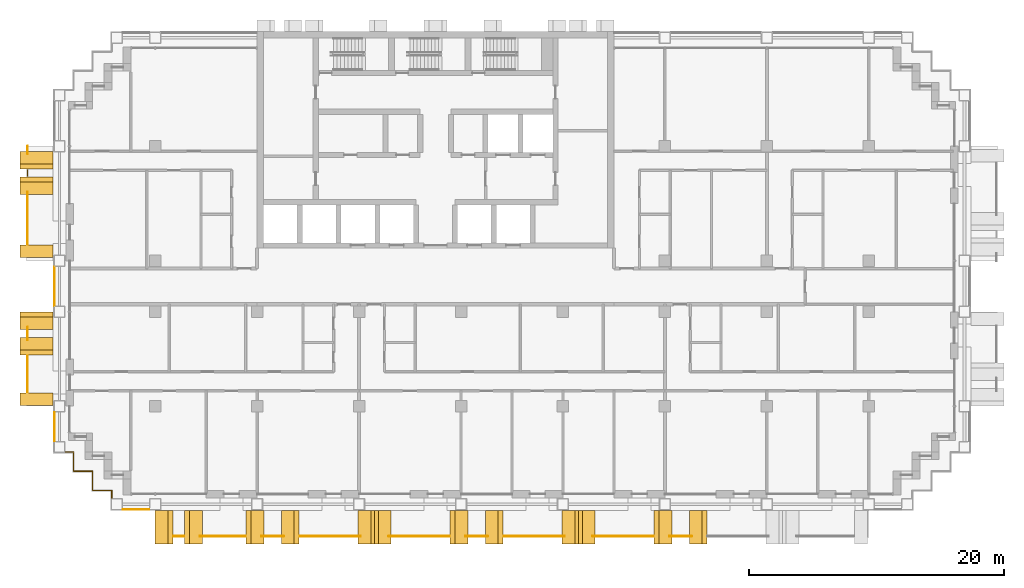
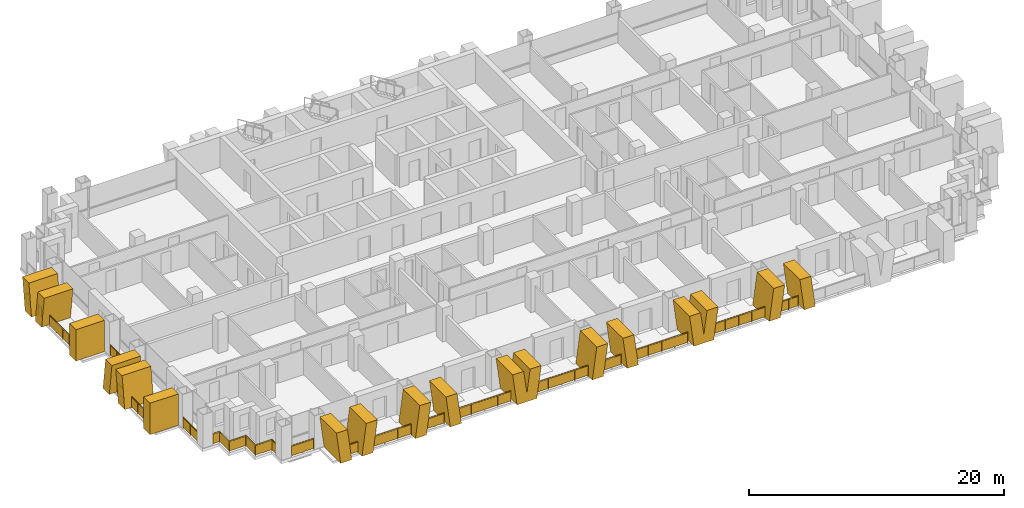
# One storey, part 14 of 17: 18 railings, 16 shading devices.
"""IFC4 building model written with IfcOpenShell, lengths in metres."""

from ifc_helpers import new_model, si_unit, direction, frame, origin, origin_2d, place, context, subcontext, project, spatial, polyline, rectangle, circle, outline, extrude, material, layer, layer_set, type_object, element, save


model = new_model("IFC4")

# Units and contexts
model_context = context("Model", 3, precision=1e-05, world=origin(), true_north=direction((0.0, 1.0)))
body_context = subcontext(model_context, "Body", "Model", "MODEL_VIEW")
ifc_project = project(units=[si_unit("LENGTHUNIT", "METRE"), si_unit("AREAUNIT", "SQUARE_METRE"), si_unit("VOLUMEUNIT", "CUBIC_METRE"), si_unit("PLANEANGLEUNIT", "RADIAN"), si_unit("MASSUNIT", "GRAM", prefix="KILO")], contexts=[model_context])

# Site, building, storey
site_placement = place(None, origin())
site = spatial("IfcSite", under=ifc_project, at=site_placement, CompositionType="ELEMENT")
building_placement = place(site_placement, origin())
building = spatial("IfcBuilding", under=site, at=building_placement, Name="Vidyagriha Tower", CompositionType="ELEMENT")
storey_placement = place(building_placement, frame((0.0, 0.0, 96.699951171875)))
storey = spatial("IfcBuildingStorey", under=building, at=storey_placement, Name="L25", CompositionType="ELEMENT", Elevation=96.699951171875)

# Railings
ifc_material_1 = material(Name="Steel ASTM A500 Grade C black painted", Category="steel")
railing_type_1 = type_object("IfcRailingType", Name="Balcony guard 1100", PredefinedType="BALUSTRADE", material=ifc_material_1)
railing_1_placement = place(storey_placement, frame((-32.0, 11.0, 0.0)))
element("IfcRailing", 1, at=railing_1_placement, inside=storey, type_object=railing_type_1, Name="Balcony guard L25 R16.1-1", PredefinedType="BALUSTRADE", context=body_context, shape_type="SweptSolid", body=[
    extrude(circle(Radius=0.02490234375, at=origin_2d()), frame((0.0, 0.0, 1.0751953125), z_axis=(0.0, -1.0, 0.0), x_axis=(1.0, 0.0, 0.0)), (0.0, 0.0, 1.0), 0.5966796875),
    extrude(circle(Radius=0.02001953125, at=origin_2d()), origin(), (0.0, 0.0, 1.0), 1.050048828125),
    extrude(circle(Radius=0.02001953125, at=origin_2d()), frame((0.0, -0.5966796875, 0.0)), (0.0, 0.0, 1.0), 1.050048828125),
    extrude(rectangle(XDim=0.010009765625, YDim=0.900146484375, at=origin_2d()), frame((0.0, 0.0, 0.550048828125), z_axis=(0.0, -1.0, 0.0), x_axis=(1.0, 0.0, 0.0)), (0.0, 0.0, 1.0), 0.5966796875),
])
railing_2_placement = place(storey_placement, frame((-32.0, 9.14990234375, 0.0)))
element("IfcRailing", 2, at=railing_2_placement, inside=storey, type_object=railing_type_1, Name="Balcony guard L25 R16.1-2", PredefinedType="BALUSTRADE", context=body_context, shape_type="SweptSolid", body=[
    extrude(circle(Radius=0.02490234375, at=origin_2d()), frame((0.0, 0.0, 1.0751953125), z_axis=(0.0, -1.0, 0.0), x_axis=(1.0, 0.0, 0.0)), (0.0, 0.0, 1.0), 0.5),
    extrude(circle(Radius=0.02001953125, at=origin_2d()), origin(), (0.0, 0.0, 1.0), 1.050048828125),
    extrude(circle(Radius=0.02001953125, at=origin_2d()), frame((0.0, -0.5, 0.0)), (0.0, 0.0, 1.0), 1.050048828125),
    extrude(rectangle(XDim=0.010009765625, YDim=0.900146484375, at=origin_2d()), frame((0.0, 0.0, 0.550048828125), z_axis=(0.0, -1.0, 0.0), x_axis=(1.0, 0.0, 0.0)), (0.0, 0.0, 1.0), 0.5),
])
railing_3_placement = place(storey_placement, frame((-32.0, 7.396728515625, 0.0)))
element("IfcRailing", 3, at=railing_3_placement, inside=storey, type_object=railing_type_1, Name="Balcony guard L25 R16.1-3", PredefinedType="BALUSTRADE", context=body_context, shape_type="SweptSolid", body=[
    extrude(circle(Radius=0.02490234375, at=origin_2d()), frame((0.0, 0.0, 1.0751953125), z_axis=(0.0, -1.0, 0.0), x_axis=(1.0, 0.0, 0.0)), (0.0, 0.0, 1.0), 4.0966796875),
    extrude(circle(Radius=0.02001953125, at=origin_2d()), origin(), (0.0, 0.0, 1.0), 1.050048828125),
    extrude(circle(Radius=0.02001953125, at=origin_2d()), frame((0.0, -1.024169921875, 0.0)), (0.0, 0.0, 1.0), 1.050048828125),
    extrude(circle(Radius=0.02001953125, at=origin_2d()), frame((0.0, -2.04833984375, 0.0)), (0.0, 0.0, 1.0), 1.050048828125),
    extrude(circle(Radius=0.02001953125, at=origin_2d()), frame((0.0, -3.072509765625, 0.0)), (0.0, 0.0, 1.0), 1.050048828125),
    extrude(circle(Radius=0.02001953125, at=origin_2d()), frame((0.0, -4.0966796875, 0.0)), (0.0, 0.0, 1.0), 1.050048828125),
    extrude(rectangle(XDim=0.010009765625, YDim=0.900146484375, at=origin_2d()), frame((0.0, 0.0, 0.550048828125), z_axis=(0.0, -1.0, 0.0), x_axis=(1.0, 0.0, 0.0)), (0.0, 0.0, 1.0), 4.0966796875),
])
railing_4_placement = place(storey_placement, frame((-32.0, -3.203369140625, 0.0)))
element("IfcRailing", 4, at=railing_4_placement, inside=storey, type_object=railing_type_1, Name="Balcony guard L25 R16.2-1", PredefinedType="BALUSTRADE", context=body_context, shape_type="SweptSolid", body=[
    extrude(circle(Radius=0.02490234375, at=origin_2d()), frame((0.0, 0.0, 1.0751953125), z_axis=(0.0, -1.0, 0.0), x_axis=(1.0, 0.0, 0.0)), (0.0, 0.0, 1.0), 0.993408203125),
    extrude(circle(Radius=0.02001953125, at=origin_2d()), origin(), (0.0, 0.0, 1.0), 1.050048828125),
    extrude(circle(Radius=0.02001953125, at=origin_2d()), frame((0.0, -0.993408203125, 0.0)), (0.0, 0.0, 1.0), 1.050048828125),
    extrude(rectangle(XDim=0.010009765625, YDim=0.900146484375, at=origin_2d()), frame((0.0, 0.0, 0.550048828125), z_axis=(0.0, -1.0, 0.0), x_axis=(1.0, 0.0, 0.0)), (0.0, 0.0, 1.0), 0.993408203125),
])
railing_5_placement = place(storey_placement, frame((-32.0, -5.449951171875, 0.0)))
element("IfcRailing", 5, at=railing_5_placement, inside=storey, type_object=railing_type_1, Name="Balcony guard L25 R16.2-2", PredefinedType="BALUSTRADE", context=body_context, shape_type="SweptSolid", body=[
    extrude(circle(Radius=0.02490234375, at=origin_2d()), frame((0.0, 0.0, 1.0751953125), z_axis=(0.0, -1.0, 0.0), x_axis=(1.0, 0.0, 0.0)), (0.0, 0.0, 1.0), 2.85009765625),
    extrude(circle(Radius=0.02001953125, at=origin_2d()), origin(), (0.0, 0.0, 1.0), 1.050048828125),
    extrude(circle(Radius=0.02001953125, at=origin_2d()), frame((0.0, -0.949951171875, 0.0)), (0.0, 0.0, 1.0), 1.050048828125),
    extrude(circle(Radius=0.02001953125, at=origin_2d()), frame((0.0, -1.900146484375, 0.0)), (0.0, 0.0, 1.0), 1.050048828125),
    extrude(circle(Radius=0.02001953125, at=origin_2d()), frame((0.0, -2.85009765625, 0.0)), (0.0, 0.0, 1.0), 1.050048828125),
    extrude(rectangle(XDim=0.010009765625, YDim=0.900146484375, at=origin_2d()), frame((0.0, 0.0, 0.550048828125), z_axis=(0.0, -1.0, 0.0), x_axis=(1.0, 0.0, 0.0)), (0.0, 0.0, 1.0), 2.85009765625),
])
railing_6_placement = place(storey_placement, frame((-20.564208984375, -19.60009765625, 0.0)))
element("IfcRailing", 6, at=railing_6_placement, inside=storey, type_object=railing_type_1, Name="Balcony guard L25 R23.1-1", PredefinedType="BALUSTRADE", context=body_context, shape_type="SweptSolid", body=[
    extrude(circle(Radius=0.02490234375, at=origin_2d()), frame((0.0, 0.0, 1.0751953125), z_axis=(1.0, 0.0, 0.0), x_axis=(0.0, 1.0, 0.0)), (0.0, 0.0, 1.0), 0.82861328125),
    extrude(circle(Radius=0.02001953125, at=origin_2d()), origin(), (0.0, 0.0, 1.0), 1.050048828125),
    extrude(circle(Radius=0.02001953125, at=origin_2d()), frame((0.82861328125, 0.0, 0.0)), (0.0, 0.0, 1.0), 1.050048828125),
    extrude(rectangle(XDim=0.010009765625, YDim=0.900146484375, at=origin_2d()), frame((0.0, 0.0, 0.550048828125), z_axis=(1.0, 0.0, 0.0), x_axis=(0.0, 1.0, 0.0)), (0.0, 0.0, 1.0), 0.82861328125),
])
railing_7_placement = place(storey_placement, frame((-18.48779296875, -19.60009765625, 0.0)))
element("IfcRailing", 7, at=railing_7_placement, inside=storey, type_object=railing_type_1, Name="Balcony guard L25 R23.1-2", PredefinedType="BALUSTRADE", context=body_context, shape_type="SweptSolid", body=[
    extrude(circle(Radius=0.02490234375, at=origin_2d()), frame((0.0, 0.0, 1.0751953125), z_axis=(1.0, 0.0, 0.0), x_axis=(0.0, 1.0, 0.0)), (0.0, 0.0, 1.0), 3.582763671875),
    extrude(circle(Radius=0.02001953125, at=origin_2d()), origin(), (0.0, 0.0, 1.0), 1.050048828125),
    extrude(circle(Radius=0.02001953125, at=origin_2d()), frame((1.1943359375, 0.0, 0.0)), (0.0, 0.0, 1.0), 1.050048828125),
    extrude(circle(Radius=0.02001953125, at=origin_2d()), frame((2.388427734375, 0.0, 0.0)), (0.0, 0.0, 1.0), 1.050048828125),
    extrude(circle(Radius=0.02001953125, at=origin_2d()), frame((3.582763671875, 0.0, 0.0)), (0.0, 0.0, 1.0), 1.050048828125),
    extrude(rectangle(XDim=0.010009765625, YDim=0.900146484375, at=origin_2d()), frame((0.0, 0.0, 0.550048828125), z_axis=(1.0, 0.0, 0.0), x_axis=(0.0, 1.0, 0.0)), (0.0, 0.0, 1.0), 3.582763671875),
])
railing_8_placement = place(storey_placement, frame((-13.653564453125, -19.60009765625, 0.0)))
element("IfcRailing", 8, at=railing_8_placement, inside=storey, type_object=railing_type_1, Name="Balcony guard L25 R23.1-3", PredefinedType="BALUSTRADE", context=body_context, shape_type="SweptSolid", body=[
    extrude(circle(Radius=0.02490234375, at=origin_2d()), frame((0.0, 0.0, 1.0751953125), z_axis=(1.0, 0.0, 0.0), x_axis=(0.0, 1.0, 0.0)), (0.0, 0.0, 1.0), 1.757080078125),
    extrude(circle(Radius=0.02001953125, at=origin_2d()), origin(), (0.0, 0.0, 1.0), 1.050048828125),
    extrude(circle(Radius=0.02001953125, at=origin_2d()), frame((0.87841796875, 0.0, 0.0)), (0.0, 0.0, 1.0), 1.050048828125),
    extrude(circle(Radius=0.02001953125, at=origin_2d()), frame((1.757080078125, 0.0, 0.0)), (0.0, 0.0, 1.0), 1.050048828125),
    extrude(rectangle(XDim=0.010009765625, YDim=0.900146484375, at=origin_2d()), frame((0.0, 0.0, 0.550048828125), z_axis=(1.0, 0.0, 0.0), x_axis=(0.0, 1.0, 0.0)), (0.0, 0.0, 1.0), 1.757080078125),
])
railing_9_placement = place(storey_placement, frame((-10.64501953125, -19.60009765625, 0.0)))
element("IfcRailing", 9, at=railing_9_placement, inside=storey, type_object=railing_type_1, Name="Balcony guard L25 R23.1-4", PredefinedType="BALUSTRADE", context=body_context, shape_type="SweptSolid", body=[
    extrude(circle(Radius=0.02490234375, at=origin_2d()), frame((0.0, 0.0, 1.0751953125), z_axis=(1.0, 0.0, 0.0), x_axis=(0.0, 1.0, 0.0)), (0.0, 0.0, 1.0), 4.773681640625),
    extrude(circle(Radius=0.02001953125, at=origin_2d()), origin(), (0.0, 0.0, 1.0), 1.050048828125),
    extrude(circle(Radius=0.02001953125, at=origin_2d()), frame((1.193359375, 0.0, 0.0)), (0.0, 0.0, 1.0), 1.050048828125),
    extrude(circle(Radius=0.02001953125, at=origin_2d()), frame((2.38671875, 0.0, 0.0)), (0.0, 0.0, 1.0), 1.050048828125),
    extrude(circle(Radius=0.02001953125, at=origin_2d()), frame((3.580322265625, 0.0, 0.0)), (0.0, 0.0, 1.0), 1.050048828125),
    extrude(circle(Radius=0.02001953125, at=origin_2d()), frame((4.773681640625, 0.0, 0.0)), (0.0, 0.0, 1.0), 1.050048828125),
    extrude(rectangle(XDim=0.010009765625, YDim=0.900146484375, at=origin_2d()), frame((0.0, 0.0, 0.550048828125), z_axis=(1.0, 0.0, 0.0), x_axis=(0.0, 1.0, 0.0)), (0.0, 0.0, 1.0), 4.773681640625),
])
railing_10_placement = place(storey_placement, frame((-3.678466796875, -19.60009765625, 0.0)))
element("IfcRailing", 10, at=railing_10_placement, inside=storey, type_object=railing_type_1, Name="Balcony guard L25 R23.1-5", PredefinedType="BALUSTRADE", context=body_context, shape_type="SweptSolid", body=[
    extrude(circle(Radius=0.02490234375, at=origin_2d()), frame((0.0, 0.0, 1.0751953125), z_axis=(1.0, 0.0, 0.0), x_axis=(0.0, 1.0, 0.0)), (0.0, 0.0, 1.0), 4.7734375),
    extrude(circle(Radius=0.02001953125, at=origin_2d()), origin(), (0.0, 0.0, 1.0), 1.050048828125),
    extrude(circle(Radius=0.02001953125, at=origin_2d()), frame((1.193359375, 0.0, 0.0)), (0.0, 0.0, 1.0), 1.050048828125),
    extrude(circle(Radius=0.02001953125, at=origin_2d()), frame((2.38671875, 0.0, 0.0)), (0.0, 0.0, 1.0), 1.050048828125),
    extrude(circle(Radius=0.02001953125, at=origin_2d()), frame((3.580078125, 0.0, 0.0)), (0.0, 0.0, 1.0), 1.050048828125),
    extrude(circle(Radius=0.02001953125, at=origin_2d()), frame((4.7734375, 0.0, 0.0)), (0.0, 0.0, 1.0), 1.050048828125),
    extrude(rectangle(XDim=0.010009765625, YDim=0.900146484375, at=origin_2d()), frame((0.0, 0.0, 0.550048828125), z_axis=(1.0, 0.0, 0.0), x_axis=(0.0, 1.0, 0.0)), (0.0, 0.0, 1.0), 4.7734375),
])
railing_11_placement = place(storey_placement, frame((2.346435546875, -19.60009765625, 0.0)))
element("IfcRailing", 11, at=railing_11_placement, inside=storey, type_object=railing_type_1, Name="Balcony guard L25 R23.1-6", PredefinedType="BALUSTRADE", context=body_context, shape_type="SweptSolid", body=[
    extrude(circle(Radius=0.02490234375, at=origin_2d()), frame((0.0, 0.0, 1.0751953125), z_axis=(1.0, 0.0, 0.0), x_axis=(0.0, 1.0, 0.0)), (0.0, 0.0, 1.0), 1.757080078125),
    extrude(circle(Radius=0.02001953125, at=origin_2d()), origin(), (0.0, 0.0, 1.0), 1.050048828125),
    extrude(circle(Radius=0.02001953125, at=origin_2d()), frame((0.87841796875, 0.0, 0.0)), (0.0, 0.0, 1.0), 1.050048828125),
    extrude(circle(Radius=0.02001953125, at=origin_2d()), frame((1.757080078125, 0.0, 0.0)), (0.0, 0.0, 1.0), 1.050048828125),
    extrude(rectangle(XDim=0.010009765625, YDim=0.900146484375, at=origin_2d()), frame((0.0, 0.0, 0.550048828125), z_axis=(1.0, 0.0, 0.0), x_axis=(0.0, 1.0, 0.0)), (0.0, 0.0, 1.0), 1.757080078125),
])
railing_12_placement = place(storey_placement, frame((5.35498046875, -19.60009765625, 0.0)))
element("IfcRailing", 12, at=railing_12_placement, inside=storey, type_object=railing_type_1, Name="Balcony guard L25 R23.1-7", PredefinedType="BALUSTRADE", context=body_context, shape_type="SweptSolid", body=[
    extrude(circle(Radius=0.02490234375, at=origin_2d()), frame((0.0, 0.0, 1.0751953125), z_axis=(1.0, 0.0, 0.0), x_axis=(0.0, 1.0, 0.0)), (0.0, 0.0, 1.0), 4.773681640625),
    extrude(circle(Radius=0.02001953125, at=origin_2d()), origin(), (0.0, 0.0, 1.0), 1.050048828125),
    extrude(circle(Radius=0.02001953125, at=origin_2d()), frame((1.193359375, 0.0, 0.0)), (0.0, 0.0, 1.0), 1.050048828125),
    extrude(circle(Radius=0.02001953125, at=origin_2d()), frame((2.38671875, 0.0, 0.0)), (0.0, 0.0, 1.0), 1.050048828125),
    extrude(circle(Radius=0.02001953125, at=origin_2d()), frame((3.580322265625, 0.0, 0.0)), (0.0, 0.0, 1.0), 1.050048828125),
    extrude(circle(Radius=0.02001953125, at=origin_2d()), frame((4.773681640625, 0.0, 0.0)), (0.0, 0.0, 1.0), 1.050048828125),
    extrude(rectangle(XDim=0.010009765625, YDim=0.900146484375, at=origin_2d()), frame((0.0, 0.0, 0.550048828125), z_axis=(1.0, 0.0, 0.0), x_axis=(0.0, 1.0, 0.0)), (0.0, 0.0, 1.0), 4.773681640625),
])
railing_13_placement = place(storey_placement, frame((12.321533203125, -19.60009765625, 0.0)))
element("IfcRailing", 13, at=railing_13_placement, inside=storey, type_object=railing_type_1, Name="Balcony guard L25 R23.1-8", PredefinedType="BALUSTRADE", context=body_context, shape_type="SweptSolid", body=[
    extrude(circle(Radius=0.02490234375, at=origin_2d()), frame((0.0, 0.0, 1.0751953125), z_axis=(1.0, 0.0, 0.0), x_axis=(0.0, 1.0, 0.0)), (0.0, 0.0, 1.0), 4.7734375),
    extrude(circle(Radius=0.02001953125, at=origin_2d()), origin(), (0.0, 0.0, 1.0), 1.050048828125),
    extrude(circle(Radius=0.02001953125, at=origin_2d()), frame((1.193359375, 0.0, 0.0)), (0.0, 0.0, 1.0), 1.050048828125),
    extrude(circle(Radius=0.02001953125, at=origin_2d()), frame((2.38671875, 0.0, 0.0)), (0.0, 0.0, 1.0), 1.050048828125),
    extrude(circle(Radius=0.02001953125, at=origin_2d()), frame((3.580078125, 0.0, 0.0)), (0.0, 0.0, 1.0), 1.050048828125),
    extrude(circle(Radius=0.02001953125, at=origin_2d()), frame((4.7734375, 0.0, 0.0)), (0.0, 0.0, 1.0), 1.050048828125),
    extrude(rectangle(XDim=0.010009765625, YDim=0.900146484375, at=origin_2d()), frame((0.0, 0.0, 0.550048828125), z_axis=(1.0, 0.0, 0.0), x_axis=(0.0, 1.0, 0.0)), (0.0, 0.0, 1.0), 4.7734375),
])
railing_14_placement = place(storey_placement, frame((18.346435546875, -19.60009765625, 0.0)))
element("IfcRailing", 14, at=railing_14_placement, inside=storey, type_object=railing_type_1, Name="Balcony guard L25 R23.1-9", PredefinedType="BALUSTRADE", context=body_context, shape_type="SweptSolid", body=[
    extrude(circle(Radius=0.02490234375, at=origin_2d()), frame((0.0, 0.0, 1.0751953125), z_axis=(1.0, 0.0, 0.0), x_axis=(0.0, 1.0, 0.0)), (0.0, 0.0, 1.0), 1.757080078125),
    extrude(circle(Radius=0.02001953125, at=origin_2d()), origin(), (0.0, 0.0, 1.0), 1.050048828125),
    extrude(circle(Radius=0.02001953125, at=origin_2d()), frame((0.87841796875, 0.0, 0.0)), (0.0, 0.0, 1.0), 1.050048828125),
    extrude(circle(Radius=0.02001953125, at=origin_2d()), frame((1.757080078125, 0.0, 0.0)), (0.0, 0.0, 1.0), 1.050048828125),
    extrude(rectangle(XDim=0.010009765625, YDim=0.900146484375, at=origin_2d()), frame((0.0, 0.0, 0.550048828125), z_axis=(1.0, 0.0, 0.0), x_axis=(0.0, 1.0, 0.0)), (0.0, 0.0, 1.0), 1.757080078125),
])

# Shading devices
ifc_material_2 = material(Name="Precast concrete C40/50 with buff brick facing", Category="concrete")
ifc_layer_1 = layer(ifc_material_2, 1.0)
ifc_layer_set_1 = layer_set([ifc_layer_1], Name="Precast concrete C40/50 with buff brick facing")
shading_device_type_1 = type_object("IfcShadingDeviceType", Name="Brick-faced blade fin arm leaning 8 degrees", PredefinedType="USERDEFINED", material=ifc_layer_set_1)
shading_device_1_placement = place(storey_placement, frame((-31.300048828125, 8.60009765625, 0.0), z_axis=(0.0, 0.0, 1.0), x_axis=(0.0, -1.0, 0.0)))
element("IfcShadingDevice", 15, at=shading_device_1_placement, inside=storey, type_object=shading_device_type_1, Name="Leaning blade fin L25 R16.290a", ObjectType="BLADE FIN", PredefinedType="USERDEFINED", context=body_context, shape_type="SweptSolid", body=[
    extrude(outline(polyline([(0.0, 0.0), (1.0, 0.0), (1.39990234375, 3.0), (0.39990234375, 3.0), (0.0, 0.0)])), frame((0.0, 1.300048828125, 0.0), z_axis=(0.0, -1.0, 0.0), x_axis=(1.0, 0.0, 0.0)), (0.0, 0.0, 1.0), 2.60009765625),
])
for number, where, z_axis, x_axis, name in (
    (16, (-31.300048828125, 10.60009765625, 0.0), (0.0, 0.0, 1.0), (0.0, -1.0, 0.0), "Leaning blade fin L25 R16.290b"),
    (17, (-31.300048828125, -4.0, 0.0), (0.0, 0.0, 1.0), (0.0, -1.0, 0.0), "Leaning blade fin L25 R16.1590a"),
):
    element("IfcShadingDevice", number, at=place(storey_placement, frame(where, z_axis=z_axis, x_axis=x_axis)), inside=storey, type_object=shading_device_type_1, Name=name, ObjectType="BLADE FIN", PredefinedType="USERDEFINED", context=body_context, shape_type="SweptSolid", body=[
        extrude(outline(polyline([(0.39990234375, 0.0), (1.39990234375, 0.0), (1.0, 3.0), (0.0, 3.0), (0.39990234375, 0.0)])), frame((0.0, 1.300048828125, 0.0), z_axis=(0.0, -1.0, 0.0), x_axis=(1.0, 0.0, 0.0)), (0.0, 0.0, 1.0), 2.60009765625),
    ])
shading_device_2_placement = place(storey_placement, frame((-31.300048828125, -2.0, 0.0), z_axis=(0.0, 0.0, 1.0), x_axis=(0.0, -1.0, 0.0)))
element("IfcShadingDevice", 18, at=shading_device_2_placement, inside=storey, type_object=shading_device_type_1, Name="Leaning blade fin L25 R16.1590b", ObjectType="BLADE FIN", PredefinedType="USERDEFINED", context=body_context, shape_type="SweptSolid", body=[
    extrude(outline(polyline([(0.0, 0.0), (1.0, 0.0), (1.39990234375, 3.0), (0.39990234375, 3.0), (0.0, 0.0)])), frame((0.0, 1.300048828125, 0.0), z_axis=(0.0, -1.0, 0.0), x_axis=(1.0, 0.0, 0.0)), (0.0, 0.0, 1.0), 2.60009765625),
])
shading_device_3_placement = place(storey_placement, frame((-19.685791015625, -18.89990234375, 0.0)))
element("IfcShadingDevice", 19, at=shading_device_3_placement, inside=storey, type_object=shading_device_type_1, Name="Leaning blade fin L25 R23.190a", ObjectType="BLADE FIN", PredefinedType="USERDEFINED", context=body_context, shape_type="SweptSolid", body=[
    extrude(outline(polyline([(0.0, 0.0), (1.0, 0.0), (1.3857421875, 3.0), (0.3857421875, 3.0), (0.0, 0.0)])), frame((0.0, 1.300048828125, 0.0), z_axis=(0.0, -1.0, 0.0), x_axis=(1.0, 0.0, 0.0)), (0.0, 0.0, 1.0), 2.60009765625),
])
shading_device_4_placement = place(storey_placement, frame((-22.0, -18.89990234375, 0.0)))
element("IfcShadingDevice", 20, at=shading_device_4_placement, inside=storey, type_object=shading_device_type_1, Name="Leaning blade fin L25 R23.190b", ObjectType="BLADE FIN", PredefinedType="USERDEFINED", context=body_context, shape_type="SweptSolid", body=[
    extrude(outline(polyline([(0.3857421875, 0.0), (1.3857421875, 0.0), (1.0, 3.0), (0.0, 3.0), (0.3857421875, 0.0)])), frame((0.0, 1.300048828125, 0.0), z_axis=(0.0, -1.0, 0.0), x_axis=(1.0, 0.0, 0.0)), (0.0, 0.0, 1.0), 2.60009765625),
])
shading_device_5_placement = place(storey_placement, frame((-12.090087890625, -18.89990234375, 0.0)))
element("IfcShadingDevice", 21, at=shading_device_5_placement, inside=storey, type_object=shading_device_type_1, Name="Leaning blade fin L25 R23.990a", ObjectType="BLADE FIN", PredefinedType="USERDEFINED", context=body_context, shape_type="SweptSolid", body=[
    extrude(outline(polyline([(0.39501953125, 0.0), (1.39501953125, 0.0), (1.0, 3.0), (0.0, 3.0), (0.39501953125, 0.0)])), frame((0.0, 1.300048828125, 0.0), z_axis=(0.0, -1.0, 0.0), x_axis=(1.0, 0.0, 0.0)), (0.0, 0.0, 1.0), 2.60009765625),
])
shading_device_6_placement = place(storey_placement, frame((-14.85498046875, -18.89990234375, 0.0)))
element("IfcShadingDevice", 22, at=shading_device_6_placement, inside=storey, type_object=shading_device_type_1, Name="Leaning blade fin L25 R23.990b", ObjectType="BLADE FIN", PredefinedType="USERDEFINED", context=body_context, shape_type="SweptSolid", body=[
    extrude(outline(polyline([(0.0, 0.0), (1.0, 0.0), (1.39501953125, 3.0), (0.39501953125, 3.0), (0.0, 0.0)])), frame((0.0, 1.300048828125, 0.0), z_axis=(0.0, -1.0, 0.0), x_axis=(1.0, 0.0, 0.0)), (0.0, 0.0, 1.0), 2.60009765625),
])
shading_device_7_placement = place(storey_placement, frame((3.909912109375, -18.89990234375, 0.0)))
element("IfcShadingDevice", 23, at=shading_device_7_placement, inside=storey, type_object=shading_device_type_1, Name="Leaning blade fin L25 R23.2590a", ObjectType="BLADE FIN", PredefinedType="USERDEFINED", context=body_context, shape_type="SweptSolid", body=[
    extrude(outline(polyline([(0.39501953125, 0.0), (1.39501953125, 0.0), (1.0, 3.0), (0.0, 3.0), (0.39501953125, 0.0)])), frame((0.0, 1.300048828125, 0.0), z_axis=(0.0, -1.0, 0.0), x_axis=(1.0, 0.0, 0.0)), (0.0, 0.0, 1.0), 2.60009765625),
])
shading_device_8_placement = place(storey_placement, frame((1.14501953125, -18.89990234375, 0.0)))
element("IfcShadingDevice", 24, at=shading_device_8_placement, inside=storey, type_object=shading_device_type_1, Name="Leaning blade fin L25 R23.2590b", ObjectType="BLADE FIN", PredefinedType="USERDEFINED", context=body_context, shape_type="SweptSolid", body=[
    extrude(outline(polyline([(0.0, 0.0), (1.0, 0.0), (1.39501953125, 3.0), (0.39501953125, 3.0), (0.0, 0.0)])), frame((0.0, 1.300048828125, 0.0), z_axis=(0.0, -1.0, 0.0), x_axis=(1.0, 0.0, 0.0)), (0.0, 0.0, 1.0), 2.60009765625),
])
shading_device_9_placement = place(storey_placement, frame((19.909912109375, -18.89990234375, 0.0)))
element("IfcShadingDevice", 25, at=shading_device_9_placement, inside=storey, type_object=shading_device_type_1, Name="Leaning blade fin L25 R23.4190a", ObjectType="BLADE FIN", PredefinedType="USERDEFINED", context=body_context, shape_type="SweptSolid", body=[
    extrude(outline(polyline([(0.39501953125, 0.0), (1.39501953125, 0.0), (1.0, 3.0), (0.0, 3.0), (0.39501953125, 0.0)])), frame((0.0, 1.300048828125, 0.0), z_axis=(0.0, -1.0, 0.0), x_axis=(1.0, 0.0, 0.0)), (0.0, 0.0, 1.0), 2.60009765625),
])
shading_device_10_placement = place(storey_placement, frame((17.14501953125, -18.89990234375, 0.0)))
element("IfcShadingDevice", 26, at=shading_device_10_placement, inside=storey, type_object=shading_device_type_1, Name="Leaning blade fin L25 R23.4190b", ObjectType="BLADE FIN", PredefinedType="USERDEFINED", context=body_context, shape_type="SweptSolid", body=[
    extrude(outline(polyline([(0.0, 0.0), (1.0, 0.0), (1.39501953125, 3.0), (0.39501953125, 3.0), (0.0, 0.0)])), frame((0.0, 1.300048828125, 0.0), z_axis=(0.0, -1.0, 0.0), x_axis=(1.0, 0.0, 0.0)), (0.0, 0.0, 1.0), 2.60009765625),
])
ifc_material_3 = material(Name="Precast concrete C40/50 with buff brick facing", Category="concrete")
ifc_layer_2 = layer(ifc_material_3, 1.0)
ifc_layer_set_2 = layer_set([ifc_layer_2], Name="Precast concrete C40/50 with buff brick facing")
shading_device_type_2 = type_object("IfcShadingDeviceType", Name="Brick-faced blade fin forking 8 degrees", PredefinedType="USERDEFINED", material=ifc_layer_set_2)
for number, where, name in (
    (27, (-6.06494140625, -18.89990234375, 0.0), "Forked blade fin L25 R23.1790a"),
    (28, (9.93505859375, -18.89990234375, 0.0), "Forked blade fin L25 R23.3390a"),
):
    element("IfcShadingDevice", number, at=place(storey_placement, frame(where)), inside=storey, type_object=shading_device_type_2, Name=name, ObjectType="BLADE FIN", PredefinedType="USERDEFINED", context=body_context, shape_type="SweptSolid", body=[
        extrude(outline(polyline([(0.39501953125, 0.0), (2.18505859375, 0.0), (2.580078125, 3.0), (1.580078125, 3.0), (1.2900390625, 0.797607421875), (1.0, 3.0), (0.0, 3.0), (0.39501953125, 0.0)])), frame((0.0, 1.300048828125, 0.0), z_axis=(0.0, -1.0, 0.0), x_axis=(1.0, 0.0, 0.0)), (0.0, 0.0, 1.0), 2.60009765625),
    ])
ifc_material_4 = material(Name="Precast concrete C40/50 with buff brick facing", Category="concrete")
ifc_layer_3 = layer(ifc_material_4, 1.0)
ifc_layer_set_3 = layer_set([ifc_layer_3], Name="Precast concrete C40/50 with buff brick facing")
shading_device_type_3 = type_object("IfcShadingDeviceType", Name="Brick-faced blade fin stem 1000", PredefinedType="USERDEFINED", material=ifc_layer_set_3)
for number, where, z_axis, x_axis, name in (
    (29, (-31.300048828125, 3.25, 0.0), (0.0, 0.0, 1.0), (0.0, -1.0, 0.0), "Stem blade fin L25 R16.1190a"),
    (30, (-31.300048828125, -8.35009765625, 0.0), (0.0, 0.0, 1.0), (0.0, -1.0, 0.0), "Stem blade fin L25 R16.2330a"),
):
    element("IfcShadingDevice", number, at=place(storey_placement, frame(where, z_axis=z_axis, x_axis=x_axis)), inside=storey, type_object=shading_device_type_3, Name=name, ObjectType="BLADE FIN", PredefinedType="USERDEFINED", context=body_context, shape_type="SweptSolid", body=[
        extrude(outline(polyline([(0.0, 0.0), (1.0, 0.0), (1.0, 3.0), (0.0, 3.0), (0.0, 0.0)])), frame((0.0, 1.300048828125, 0.0), z_axis=(0.0, -1.0, 0.0), x_axis=(1.0, 0.0, 0.0)), (0.0, 0.0, 1.0), 2.60009765625),
    ])

# Railings
ifc_material_5 = material(Name="Steel ASTM A500 Grade C black painted", Category="steel")
railing_type_2 = type_object("IfcRailingType", Name="Gallery guard 1100", PredefinedType="GUARDRAIL", material=ifc_material_5)
railing_15_placement = place(storey_placement, frame((-29.89990234375, -12.1201171875, 0.0)))
element("IfcRailing", 31, at=railing_15_placement, inside=storey, type_object=railing_type_2, Name="Gallery guard L25 1", PredefinedType="GUARDRAIL", context=body_context, shape_type="SweptSolid", body=[
    extrude(circle(Radius=0.02490234375, at=origin_2d()), frame((0.0, 0.0, 1.0751953125), z_axis=(0.0, 1.0, 0.0), x_axis=(-1.0, 0.0, 0.0)), (0.0, 0.0, 1.0), 2.240234375),
    extrude(circle(Radius=0.02001953125, at=origin_2d()), origin(), (0.0, 0.0, 1.0), 1.050048828125),
    extrude(circle(Radius=0.02001953125, at=origin_2d()), frame((0.0, 1.1201171875, 0.0)), (0.0, 0.0, 1.0), 1.050048828125),
    extrude(circle(Radius=0.02001953125, at=origin_2d()), frame((0.0, 2.240234375, 0.0)), (0.0, 0.0, 1.0), 1.050048828125),
    extrude(rectangle(XDim=0.010009765625, YDim=0.900146484375, at=origin_2d()), frame((0.0, 0.0, 0.550048828125), z_axis=(0.0, 1.0, 0.0), x_axis=(-1.0, 0.0, 0.0)), (0.0, 0.0, 1.0), 2.240234375),
])
railing_16_placement = place(storey_placement, frame((-29.89990234375, -1.52001953125, 0.0)))
element("IfcRailing", 32, at=railing_16_placement, inside=storey, type_object=railing_type_2, Name="Gallery guard L25 2", PredefinedType="GUARDRAIL", context=body_context, shape_type="SweptSolid", body=[
    extrude(circle(Radius=0.02490234375, at=origin_2d()), frame((0.0, 0.0, 1.0751953125), z_axis=(0.0, 1.0, 0.0), x_axis=(-1.0, 0.0, 0.0)), (0.0, 0.0, 1.0), 3.0400390625),
    extrude(circle(Radius=0.02001953125, at=origin_2d()), origin(), (0.0, 0.0, 1.0), 1.050048828125),
    extrude(circle(Radius=0.02001953125, at=origin_2d()), frame((0.0, 1.013427734375, 0.0)), (0.0, 0.0, 1.0), 1.050048828125),
    extrude(circle(Radius=0.02001953125, at=origin_2d()), frame((0.0, 2.026611328125, 0.0)), (0.0, 0.0, 1.0), 1.050048828125),
    extrude(circle(Radius=0.02001953125, at=origin_2d()), frame((0.0, 3.0400390625, 0.0)), (0.0, 0.0, 1.0), 1.050048828125),
    extrude(rectangle(XDim=0.010009765625, YDim=0.900146484375, at=origin_2d()), frame((0.0, 0.0, 0.550048828125), z_axis=(0.0, 1.0, 0.0), x_axis=(-1.0, 0.0, 0.0)), (0.0, 0.0, 1.0), 3.0400390625),
])
railing_17_placement = place(storey_placement, frame((-25.39990234375, -16.6201171875, 0.0)))
element("IfcRailing", 33, at=railing_17_placement, inside=storey, type_object=railing_type_2, Name="Gallery guard L25 4", PredefinedType="GUARDRAIL", context=body_context, shape_type="SweptSolid", body=[
    extrude(circle(Radius=0.02490234375, at=origin_2d()), frame((0.0, 0.0, 1.0751953125), z_axis=(0.0, 1.0, 0.0), x_axis=(-1.0, 0.0, 0.0)), (0.0, 0.0, 1.0), 0.6201171875),
    extrude(circle(Radius=0.02490234375, at=origin_2d()), frame((0.0, 0.6201171875, 1.0751953125), z_axis=(-1.0, 0.0, 0.0), x_axis=(0.0, -1.0, 0.0)), (0.0, 0.0, 1.0), 1.5),
    extrude(circle(Radius=0.02490234375, at=origin_2d()), frame((-1.5, 0.6201171875, 1.0751953125), z_axis=(0.0, 1.0, 0.0), x_axis=(-1.0, 0.0, 0.0)), (0.0, 0.0, 1.0), 1.5),
    extrude(circle(Radius=0.02490234375, at=origin_2d()), frame((-1.5, 2.1201171875, 1.0751953125), z_axis=(-1.0, 0.0, 0.0), x_axis=(0.0, -1.0, 0.0)), (0.0, 0.0, 1.0), 1.5),
    extrude(circle(Radius=0.02490234375, at=origin_2d()), frame((-3.0, 2.1201171875, 1.0751953125), z_axis=(0.0, 1.0, 0.0), x_axis=(-1.0, 0.0, 0.0)), (0.0, 0.0, 1.0), 1.5),
    extrude(circle(Radius=0.02490234375, at=origin_2d()), frame((-3.0, 3.6201171875, 1.0751953125), z_axis=(-1.0, 0.0, 0.0), x_axis=(0.0, -1.0, 0.0)), (0.0, 0.0, 1.0), 0.6201171875),
    extrude(circle(Radius=0.02001953125, at=origin_2d()), origin(), (0.0, 0.0, 1.0), 1.050048828125),
    extrude(circle(Radius=0.02001953125, at=origin_2d()), frame((0.0, 0.6201171875, 0.0)), (0.0, 0.0, 1.0), 1.050048828125),
    extrude(circle(Radius=0.02001953125, at=origin_2d()), frame((-1.5, 0.6201171875, 0.0)), (0.0, 0.0, 1.0), 1.050048828125),
    extrude(circle(Radius=0.02001953125, at=origin_2d()), frame((-1.5, 2.1201171875, 0.0)), (0.0, 0.0, 1.0), 1.050048828125),
    extrude(circle(Radius=0.02001953125, at=origin_2d()), frame((-3.0, 2.1201171875, 0.0)), (0.0, 0.0, 1.0), 1.050048828125),
    extrude(circle(Radius=0.02001953125, at=origin_2d()), frame((-3.0, 3.6201171875, 0.0)), (0.0, 0.0, 1.0), 1.050048828125),
    extrude(circle(Radius=0.02001953125, at=origin_2d()), frame((-3.6201171875, 3.6201171875, 0.0)), (0.0, 0.0, 1.0), 1.050048828125),
    extrude(rectangle(XDim=0.010009765625, YDim=0.900146484375, at=origin_2d()), frame((0.0, 0.0, 0.550048828125), z_axis=(0.0, 1.0, 0.0), x_axis=(-1.0, 0.0, 0.0)), (0.0, 0.0, 1.0), 0.6201171875),
    extrude(rectangle(XDim=0.010009765625, YDim=0.900146484375, at=origin_2d()), frame((0.0, 0.6201171875, 0.550048828125), z_axis=(-1.0, 0.0, 0.0), x_axis=(0.0, -1.0, 0.0)), (0.0, 0.0, 1.0), 1.5),
    extrude(rectangle(XDim=0.010009765625, YDim=0.900146484375, at=origin_2d()), frame((-1.5, 0.6201171875, 0.550048828125), z_axis=(0.0, 1.0, 0.0), x_axis=(-1.0, 0.0, 0.0)), (0.0, 0.0, 1.0), 1.5),
    extrude(rectangle(XDim=0.010009765625, YDim=0.900146484375, at=origin_2d()), frame((-1.5, 2.1201171875, 0.550048828125), z_axis=(-1.0, 0.0, 0.0), x_axis=(0.0, -1.0, 0.0)), (0.0, 0.0, 1.0), 1.5),
    extrude(rectangle(XDim=0.010009765625, YDim=0.900146484375, at=origin_2d()), frame((-3.0, 2.1201171875, 0.550048828125), z_axis=(0.0, 1.0, 0.0), x_axis=(-1.0, 0.0, 0.0)), (0.0, 0.0, 1.0), 1.5),
    extrude(rectangle(XDim=0.010009765625, YDim=0.900146484375, at=origin_2d()), frame((-3.0, 3.6201171875, 0.550048828125), z_axis=(-1.0, 0.0, 0.0), x_axis=(0.0, -1.0, 0.0)), (0.0, 0.0, 1.0), 0.6201171875),
])
railing_18_placement = place(storey_placement, frame((-22.47998046875, -17.5, 0.0)))
element("IfcRailing", 34, at=railing_18_placement, inside=storey, type_object=railing_type_2, Name="Gallery guard L25 6", PredefinedType="GUARDRAIL", context=body_context, shape_type="SweptSolid", body=[
    extrude(circle(Radius=0.02490234375, at=origin_2d()), frame((0.0, 0.0, 1.0751953125), z_axis=(-1.0, 0.0, 0.0), x_axis=(0.0, -1.0, 0.0)), (0.0, 0.0, 1.0), 2.0400390625),
    extrude(circle(Radius=0.02001953125, at=origin_2d()), origin(), (0.0, 0.0, 1.0), 1.050048828125),
    extrude(circle(Radius=0.02001953125, at=origin_2d()), frame((-1.02001953125, 0.0, 0.0)), (0.0, 0.0, 1.0), 1.050048828125),
    extrude(circle(Radius=0.02001953125, at=origin_2d()), frame((-2.0400390625, 0.0, 0.0)), (0.0, 0.0, 1.0), 1.050048828125),
    extrude(rectangle(XDim=0.010009765625, YDim=0.900146484375, at=origin_2d()), frame((0.0, 0.0, 0.550048828125), z_axis=(-1.0, 0.0, 0.0), x_axis=(0.0, -1.0, 0.0)), (0.0, 0.0, 1.0), 2.0400390625),
])

save(model, "model.ifc")
